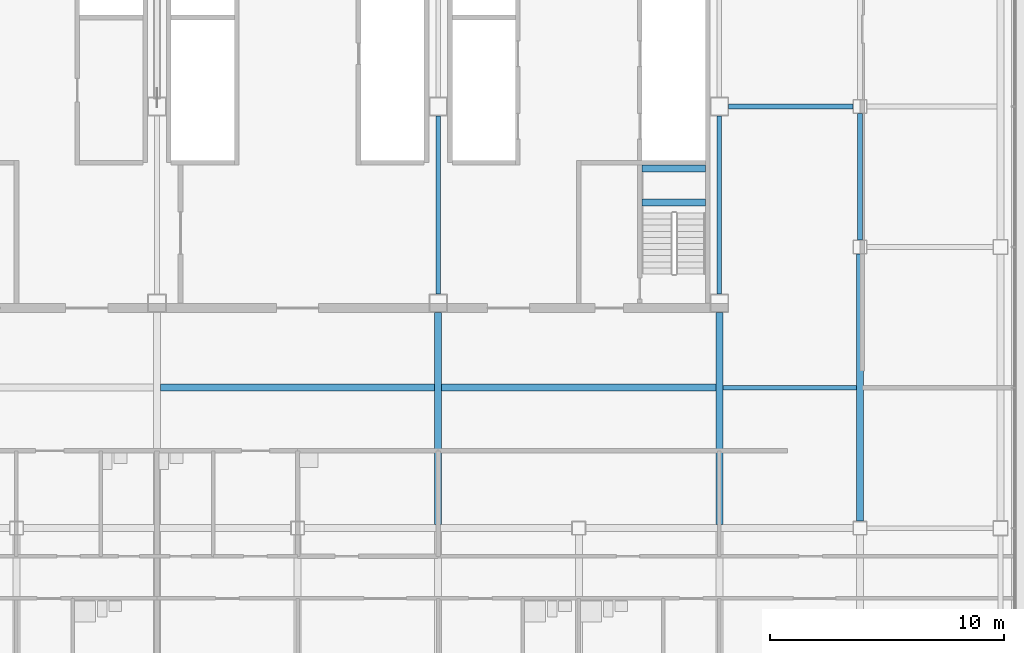
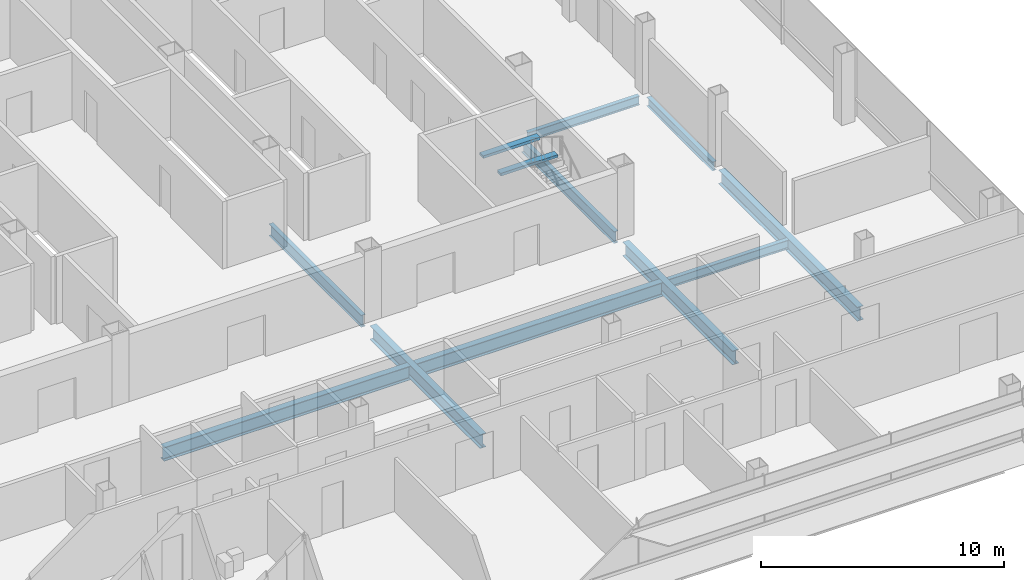
# One storey, part 10 of 27: 12 beams.
"""IFC4 building model written with IfcOpenShell, lengths in metres."""

from ifc_helpers import new_model, si_unit, direction, frame, origin, origin_2d, place, context, subcontext, project, spatial, rectangle, i_section, extrude, material, material_profile, profile_set, type_object, element, save


model = new_model("IFC4")

# Units and contexts
model_context = context("Model", 3, precision=1e-05, world=origin(), true_north=direction((0.0, 1.0)))
body_context = subcontext(model_context, "Body", "Model", "MODEL_VIEW")
ifc_project = project(units=[si_unit("LENGTHUNIT", "METRE"), si_unit("AREAUNIT", "SQUARE_METRE"), si_unit("VOLUMEUNIT", "CUBIC_METRE"), si_unit("PLANEANGLEUNIT", "RADIAN"), si_unit("MASSUNIT", "GRAM", prefix="KILO")], contexts=[model_context])

# Site, building, storey
site_placement = place(None, origin())
site = spatial("IfcSite", under=ifc_project, at=site_placement, CompositionType="ELEMENT")
building_placement = place(site_placement, origin())
building = spatial("IfcBuilding", under=site, at=building_placement, Name="Sorahane Residences", CompositionType="ELEMENT")
storey_placement = place(building_placement, frame((0.0, 0.0, 206.39990234375)))
storey = spatial("IfcBuildingStorey", under=building, at=storey_placement, Name="L48", CompositionType="ELEMENT", Elevation=206.39990234375)

# Beams
ifc_material_1 = material(Name="Concrete C40", Category="concrete")
ifc_material_profile_1 = material_profile(ifc_material_1, rectangle(XDim=0.300048828125, YDim=0.139892578125, at=origin_2d()), Name="300x140")
ifc_profile_set_1 = profile_set([ifc_material_profile_1], Name="Concrete C40")
beam_type_1 = type_object("IfcBeamType", Name="RC landing beam 300 x 140 Concrete C40", PredefinedType="BEAM", material=ifc_profile_set_1)
for number, where, z_axis, x_axis, name in (
    (1, (38.699951171875, 25.89990234375, 1.530029296875), (1.0, 0.0, 0.0), (0.0, 1.0, 0.0), "Landing beam"),
    (2, (38.699951171875, 27.35009765625, 1.530029296875), (1.0, 0.0, 0.0), (0.0, 1.0, 0.0), "Landing beam"),
):
    element("IfcBeam", number, at=place(storey_placement, frame(where, z_axis=z_axis, x_axis=x_axis)), inside=storey, type_object=beam_type_1, Name=name, PredefinedType="BEAM", context=body_context, shape_type="SweptSolid", body=[
        extrude(rectangle(XDim=0.300048828125, YDim=0.139892578125, at=origin_2d()), origin(), (0.0, 0.0, 1.0), 2.699951171875),
    ])
ifc_material_2 = material(Name="Steel Q355B", Category="steel")
ifc_material_profile_2 = material_profile(ifc_material_2, i_section(OverallWidth=0.199951171875, OverallDepth=0.449951171875, WebThickness=0.009033203125, FlangeThickness=0.013916015625, FilletRadius=0.02001953125, at=origin_2d()), Name="HN 450x200x9x14")
ifc_profile_set_2 = profile_set([ifc_material_profile_2], Name="Steel Q355B")
beam_type_2 = type_object("IfcBeamType", Name="Steel floor beam HN 450x200x9x14 Q355B", PredefinedType="BEAM", material=ifc_profile_set_2)
beam_1_placement = place(storey_placement, frame((48.0, 24.300048828125, -0.40478515625), z_axis=(0.0, 1.0, 0.0), x_axis=(-1.0, 0.0, 0.0)))
element("IfcBeam", 3, at=beam_1_placement, inside=storey, type_object=beam_type_2, Name="Beam L48 060", PredefinedType="BEAM", context=body_context, shape_type="SweptSolid", body=[
    extrude(i_section(OverallWidth=0.199951171875, OverallDepth=0.449951171875, WebThickness=0.009033203125, FlangeThickness=0.013916015625, FilletRadius=0.02001953125, at=origin_2d()), origin(), (0.0, 0.0, 1.0), 5.39990234375),
])
beam_2_placement = place(storey_placement, frame((42.14990234375, 18.0, -0.40478515625), z_axis=(1.0, 0.0, 0.0), x_axis=(0.0, 1.0, 0.0)))
element("IfcBeam", 4, at=beam_2_placement, inside=storey, type_object=beam_type_2, Name="Beam L48 083", PredefinedType="BEAM", context=body_context, shape_type="SweptSolid", body=[
    extrude(i_section(OverallWidth=0.199951171875, OverallDepth=0.449951171875, WebThickness=0.009033203125, FlangeThickness=0.013916015625, FilletRadius=0.02001953125, at=origin_2d()), origin(), (0.0, 0.0, 1.0), 5.7001953125),
])
beam_3_placement = place(storey_placement, frame((42.39990234375, 30.0, -0.40478515625), z_axis=(1.0, 0.0, 0.0), x_axis=(0.0, 1.0, 0.0)))
element("IfcBeam", 5, at=beam_3_placement, inside=storey, type_object=beam_type_2, Name="Beam L48 087", PredefinedType="BEAM", context=body_context, shape_type="SweptSolid", body=[
    extrude(i_section(OverallWidth=0.199951171875, OverallDepth=0.449951171875, WebThickness=0.009033203125, FlangeThickness=0.013916015625, FilletRadius=0.02001953125, at=origin_2d()), origin(), (0.0, 0.0, 1.0), 5.300048828125),
])
ifc_material_3 = material(Name="Steel Q355B", Category="steel")
ifc_material_profile_3 = material_profile(ifc_material_3, i_section(OverallWidth=0.199951171875, OverallDepth=0.60009765625, WebThickness=0.010986328125, FlangeThickness=0.01708984375, FilletRadius=0.02392578125, at=origin_2d()), Name="HN 600x200x11x17")
ifc_profile_set_3 = profile_set([ifc_material_profile_3], Name="Steel Q355B")
beam_type_3 = type_object("IfcBeamType", Name="Steel floor beam HN 600x200x11x17 Q355B", PredefinedType="BEAM", material=ifc_profile_set_3)
for number, where, z_axis, x_axis, name in (
    (6, (30.0, 22.0, -0.47998046875), (0.0, 1.0, 0.0), (-1.0, 0.0, 0.0), "Beam L48 046"),
    (7, (42.0, 22.0, -0.47998046875), (0.0, 1.0, 0.0), (-1.0, 0.0, 0.0), "Beam L48 054"),
):
    element("IfcBeam", number, at=place(storey_placement, frame(where, z_axis=z_axis, x_axis=x_axis)), inside=storey, type_object=beam_type_3, Name=name, PredefinedType="BEAM", context=body_context, shape_type="SweptSolid", body=[
        extrude(i_section(OverallWidth=0.199951171875, OverallDepth=0.60009765625, WebThickness=0.010986328125, FlangeThickness=0.01708984375, FilletRadius=0.02392578125, at=origin_2d()), origin(), (0.0, 0.0, 1.0), 7.60009765625),
    ])
ifc_material_4 = material(Name="Steel Q355B", Category="steel")
ifc_material_profile_4 = material_profile(ifc_material_4, i_section(OverallWidth=0.300048828125, OverallDepth=0.699951171875, WebThickness=0.012939453125, FlangeThickness=0.02392578125, FilletRadius=0.028076171875, at=origin_2d()), Name="HN 700x300x13x24")
ifc_profile_set_4 = profile_set([ifc_material_profile_4], Name="Steel Q355B")
beam_type_4 = type_object("IfcBeamType", Name="Steel floor beam HN 700x300x13x24 Q355B", PredefinedType="BEAM", material=ifc_profile_set_4)
for number, where, z_axis, x_axis, name in (
    (8, (30.0, 12.14990234375, -0.52978515625), (0.0, 1.0, 0.0), (-1.0, 0.0, 0.0), "Beam L48 045"),
    (9, (42.0, 12.14990234375, -0.52978515625), (0.0, 1.0, 0.0), (-1.0, 0.0, 0.0), "Beam L48 053"),
):
    element("IfcBeam", number, at=place(storey_placement, frame(where, z_axis=z_axis, x_axis=x_axis)), inside=storey, type_object=beam_type_4, Name=name, PredefinedType="BEAM", context=body_context, shape_type="SweptSolid", body=[
        extrude(i_section(OverallWidth=0.300048828125, OverallDepth=0.699951171875, WebThickness=0.012939453125, FlangeThickness=0.02392578125, FilletRadius=0.028076171875, at=origin_2d()), origin(), (0.0, 0.0, 1.0), 9.050048828125),
    ])
beam_4_placement = place(storey_placement, frame((48.0, 12.300048828125, -0.52978515625), z_axis=(0.0, 1.0, 0.0), x_axis=(-1.0, 0.0, 0.0)))
element("IfcBeam", 10, at=beam_4_placement, inside=storey, type_object=beam_type_4, Name="Beam L48 059", PredefinedType="BEAM", context=body_context, shape_type="SweptSolid", body=[
    extrude(i_section(OverallWidth=0.300048828125, OverallDepth=0.699951171875, WebThickness=0.012939453125, FlangeThickness=0.02392578125, FilletRadius=0.028076171875, at=origin_2d()), origin(), (0.0, 0.0, 1.0), 11.39990234375),
])
for number, where, z_axis, x_axis, name in (
    (11, (18.14990234375, 18.0, -0.52978515625), (1.0, 0.0, 0.0), (0.0, 1.0, 0.0), "Beam L48 081"),
    (12, (30.14990234375, 18.0, -0.52978515625), (1.0, 0.0, 0.0), (0.0, 1.0, 0.0), "Beam L48 082"),
):
    element("IfcBeam", number, at=place(storey_placement, frame(where, z_axis=z_axis, x_axis=x_axis)), inside=storey, type_object=beam_type_4, Name=name, PredefinedType="BEAM", context=body_context, shape_type="SweptSolid", body=[
        extrude(i_section(OverallWidth=0.300048828125, OverallDepth=0.699951171875, WebThickness=0.012939453125, FlangeThickness=0.02392578125, FilletRadius=0.028076171875, at=origin_2d()), origin(), (0.0, 0.0, 1.0), 11.7001953125),
    ])

save(model, "model.ifc")
